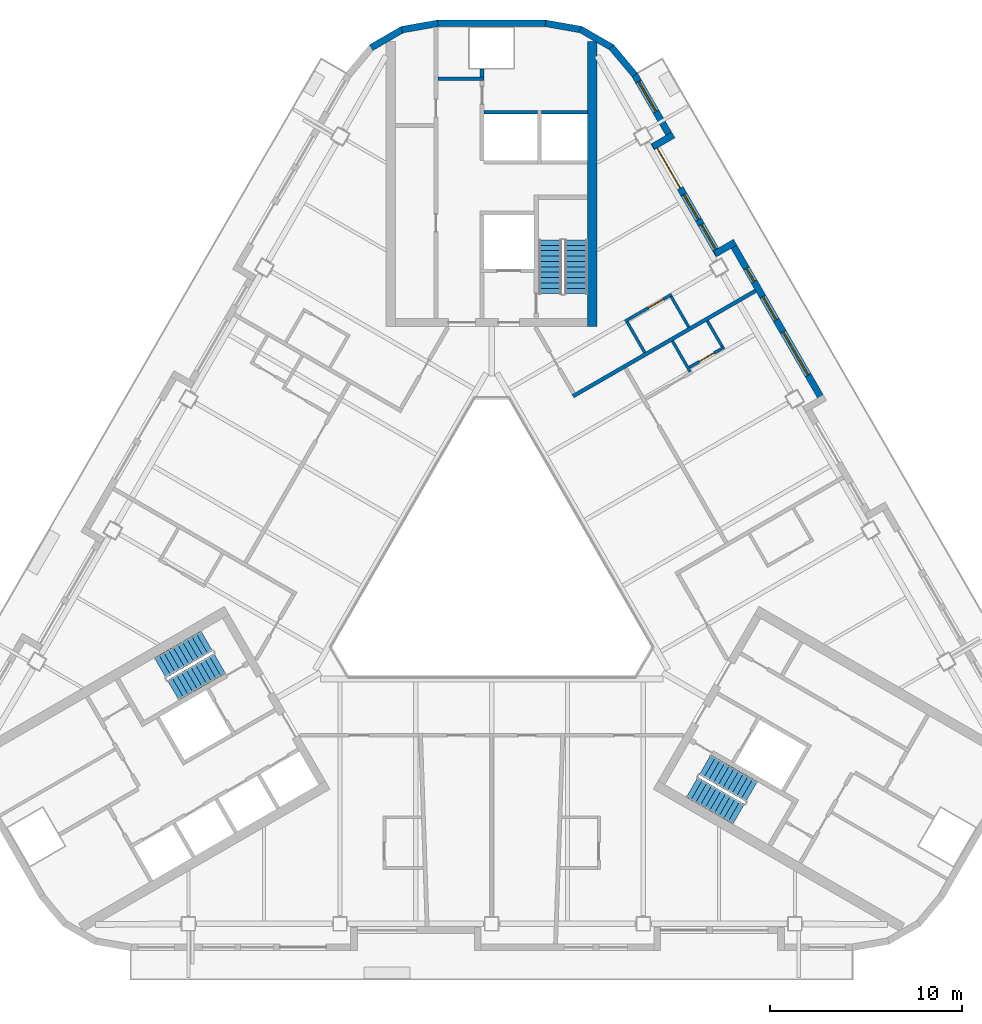
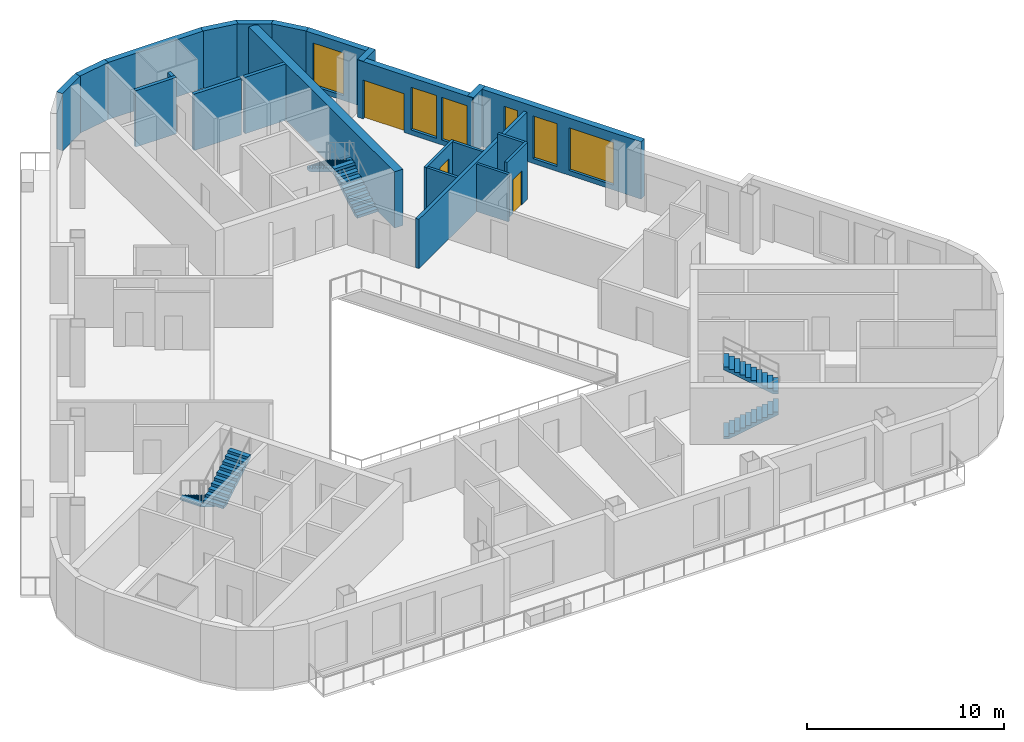
# One storey, part 7 of 13: 23 walls, 6 stair flights, 6 windows, 3 doors, 9 openings, 3 elements without a shape of their own.
"""IFC4 building model written with IfcOpenShell, lengths in metres."""

from ifc_helpers import new_model, si_unit, direction, frame, frame_2d, origin, place, context, subcontext, project, spatial, polyline, rectangle, outline, extrude, material, layer, layer_set, type_object, element, fill, aggregate, save


model = new_model("IFC4")

# Units and contexts
model_context = context("Model", 3, precision=1e-05, world=origin(), true_north=direction((0.0, 1.0)))
body_context = subcontext(model_context, "Body", "Model", "MODEL_VIEW")
ifc_project = project(units=[si_unit("LENGTHUNIT", "METRE"), si_unit("AREAUNIT", "SQUARE_METRE"), si_unit("VOLUMEUNIT", "CUBIC_METRE"), si_unit("PLANEANGLEUNIT", "RADIAN"), si_unit("MASSUNIT", "GRAM", prefix="KILO")], contexts=[model_context])

# Site, building, storey
site_placement = place(None, origin())
site = spatial("IfcSite", under=ifc_project, at=site_placement, CompositionType="ELEMENT")
building_placement = place(site_placement, origin())
building = spatial("IfcBuilding", under=site, at=building_placement, Name="Apuvela Tower Hotel", CompositionType="ELEMENT")
storey_placement = place(building_placement, frame((0.0, 0.0, 187.300048828125)))
storey = spatial("IfcBuildingStorey", under=building, at=storey_placement, Name="L45", CompositionType="ELEMENT", Elevation=187.300048828125)

# Walls
ifc_material_1 = material(Name="Concrete C50/60", Category="concrete")
ifc_layer_1 = layer(ifc_material_1, 0.5)
ifc_layer_set_1 = layer_set([ifc_layer_1], Name="COR-WALL-CORE-500")
wall_type_1 = type_object("IfcWallType", Name="COR-WALL-CORE-500", PredefinedType="SHEAR", material=ifc_layer_set_1)
wall_1_placement = place(storey_placement, frame((5.25, 12.89990234375, 0.0), z_axis=(0.0, 0.0, 1.0), x_axis=(0.0, 1.0, 0.0)))
element("IfcWall", 1, at=wall_1_placement, inside=storey, type_object=wall_type_1, Name="Core wall N", PredefinedType="SHEAR", context=body_context, shape_type="SweptSolid", body=[
    extrude(rectangle(XDim=14.8369140625, YDim=0.5, at=frame_2d((7.41845703125, 0.0))), origin(), (0.0, 0.0, 1.0), 3.5),
])
ifc_layer_2 = layer(ifc_material_1, 0.199951171875)
ifc_layer_set_2 = layer_set([ifc_layer_2], Name="COR-WALL-SHAFT-200")
wall_type_2 = type_object("IfcWallType", Name="COR-WALL-SHAFT-200", PredefinedType="SHEAR", material=ifc_layer_set_2)
wall_2_placement = place(storey_placement, frame((-0.39990234375, 25.800048828125, 0.0), z_axis=(0.0, 0.0, 1.0), x_axis=(-1.0, 0.0, 0.0)))
element("IfcWall", 2, at=wall_2_placement, inside=storey, type_object=wall_type_2, Name="Shaft wall N", PredefinedType="SHEAR", context=body_context, shape_type="SweptSolid", body=[
    extrude(rectangle(XDim=2.400146484375, YDim=0.199951171875, at=frame_2d((1.2001953125, 0.0))), origin(), (0.0, 0.0, 1.0), 3.5),
])
wall_3_placement = place(storey_placement, frame((-0.5, 25.89990234375, 0.0), z_axis=(0.0, 0.0, 1.0), x_axis=(0.0, 1.0, 0.0)))
element("IfcWall", 3, at=wall_3_placement, inside=storey, type_object=wall_type_2, Name="Shaft wall N", PredefinedType="SHEAR", context=body_context, shape_type="SweptSolid", body=[
    extrude(rectangle(XDim=0.400146484375, YDim=0.199951171875, at=frame_2d((0.2001953125, 0.0))), origin(), (0.0, 0.0, 1.0), 3.5),
])
wall_4_placement = place(storey_placement, frame((5.0, 24.050048828125, 0.0), z_axis=(0.0, 0.0, 1.0), x_axis=(-1.0, 0.0, 0.0)))
element("IfcWall", 4, at=wall_4_placement, inside=storey, type_object=wall_type_2, Name="Shaft wall N", PredefinedType="SHEAR", context=body_context, shape_type="SweptSolid", body=[
    extrude(rectangle(XDim=2.39990234375, YDim=0.199951171875, at=frame_2d((1.199951171875, 0.0))), origin(), (0.0, 0.0, 1.0), 3.5),
])
wall_5_placement = place(storey_placement, frame((2.39990234375, 24.050048828125, 0.0), z_axis=(0.0, 0.0, 1.0), x_axis=(-1.0, 0.0, 0.0)))
element("IfcWall", 5, at=wall_5_placement, inside=storey, type_object=wall_type_2, Name="Shaft wall N", PredefinedType="SHEAR", context=body_context, shape_type="SweptSolid", body=[
    extrude(rectangle(XDim=2.7998046875, YDim=0.199951171875, at=frame_2d((1.39990234375, 0.0))), origin(), (0.0, 0.0, 1.0), 3.5),
])

# Wall, openings, windows
ifc_material_2 = material(Name="Concrete C40/50, dark pigmented precast panel", Category="concrete")
ifc_layer_3 = layer(ifc_material_2, 0.35009765625)
ifc_layer_set_3 = layer_set([ifc_layer_3], Name="ENV-WALL-350")
wall_type_3 = type_object("IfcWallType", Name="ENV-WALL-350", PredefinedType="SOLIDWALL", material=ifc_layer_set_3)
wall_6_placement = place(storey_placement, frame((17.298583984375, 8.947998046875, 0.0), z_axis=(0.0, 0.0, 1.0), x_axis=(-0.500010041276, 0.866019606374, 0.0)))
wall_6 = element("IfcWall", 6, at=wall_6_placement, inside=storey, type_object=wall_type_3, Name="External wall L45-37", PredefinedType="SOLIDWALL", context=body_context, shape_type="SweptSolid", body=[
    extrude(rectangle(XDim=9.699951171875, YDim=0.35009765625, at=frame_2d((4.85009765625, 0.0))), origin(), (0.0, 0.0, 1.0), 3.550048828125),
])
opening_1_placement = place(wall_6_placement, frame((1.625, 0.0, 0.300048828125)))
opening_1 = element("IfcOpeningElement", 7, at=opening_1_placement, cuts=wall_6, Name="Opening WN26", PredefinedType="OPENING", context=body_context, shape_type="SweptSolid", body=[
    extrude(rectangle(XDim=2.60009765625, YDim=2.64990234375, at=frame_2d((1.300048828125, 1.324951171875))), frame((0.0, 0.18505859375, 0.0), z_axis=(0.0, -1.0, 0.0), x_axis=(1.0, 0.0, 0.0)), (0.0, 0.0, 1.0), 0.3701171875),
])
opening_2_placement = place(wall_6_placement, frame((4.94921875, 0.0, 0.300048828125)))
opening_2 = element("IfcOpeningElement", 8, at=opening_2_placement, cuts=wall_6, Name="Opening WN14", PredefinedType="OPENING", context=body_context, shape_type="SweptSolid", body=[
    extrude(rectangle(XDim=1.39990234375, YDim=2.64990234375, at=frame_2d((0.699951171875, 1.324951171875))), frame((0.0, 0.18505859375, 0.0), z_axis=(0.0, -1.0, 0.0), x_axis=(1.0, 0.0, 0.0)), (0.0, 0.0, 1.0), 0.3701171875),
])
opening_3_placement = place(wall_6_placement, frame((7.249755859375, 0.0, 0.300048828125)))
opening_3 = element("IfcOpeningElement", 9, at=opening_3_placement, cuts=wall_6, Name="Opening WN08", PredefinedType="OPENING", context=body_context, shape_type="SweptSolid", body=[
    extrude(rectangle(XDim=0.800048828125, YDim=2.64990234375, at=frame_2d((0.39990234375, 1.324951171875))), frame((0.0, 0.18505859375, 0.0), z_axis=(0.0, -1.0, 0.0), x_axis=(1.0, 0.0, 0.0)), (0.0, 0.0, 1.0), 0.3701171875),
])
ifc_material_3 = material(Name="Glass, dark tinted laminated insulated glazing unit", Category="glass")
window_type_1 = type_object("IfcWindowType", Name="ENV-WIN-1400x2650", PartitioningType="SINGLE_PANEL", PredefinedType="WINDOW", material=ifc_material_3)
window_1_placement = place(opening_2_placement, origin())
window_1 = element("IfcWindow", 10, at=window_1_placement, inside=storey, type_object=window_type_1, Name="Window WN14", OverallHeight=2.64990234375, OverallWidth=1.39990234375, PartitioningType="SINGLE_PANEL", PredefinedType="WINDOW", context=body_context, shape_type="SweptSolid", body=[
    extrude(rectangle(XDim=1.39990234375, YDim=2.64990234375, at=frame_2d((0.699951171875, 1.324951171875))), frame((0.0, 0.030029296875, 0.0), z_axis=(0.0, -1.0, 0.0), x_axis=(1.0, 0.0, 0.0)), (0.0, 0.0, 1.0), 0.06005859375),
])
fill(opening_2, window_1)
window_type_2 = type_object("IfcWindowType", Name="ENV-WIN-2600x2650", PartitioningType="SINGLE_PANEL", PredefinedType="WINDOW", material=ifc_material_3)
window_2_placement = place(opening_1_placement, origin())
window_2 = element("IfcWindow", 11, at=window_2_placement, inside=storey, type_object=window_type_2, Name="Window WN26", OverallHeight=2.64990234375, OverallWidth=2.60009765625, PartitioningType="SINGLE_PANEL", PredefinedType="WINDOW", context=body_context, shape_type="SweptSolid", body=[
    extrude(rectangle(XDim=2.60009765625, YDim=2.64990234375, at=frame_2d((1.300048828125, 1.324951171875))), frame((0.0, 0.030029296875, 0.0), z_axis=(0.0, -1.0, 0.0), x_axis=(1.0, 0.0, 0.0)), (0.0, 0.0, 1.0), 0.06005859375),
])
fill(opening_1, window_2)
window_type_3 = type_object("IfcWindowType", Name="ENV-WIN-800x2650", PartitioningType="SINGLE_PANEL", PredefinedType="WINDOW", material=ifc_material_3)
window_3_placement = place(opening_3_placement, origin())
window_3 = element("IfcWindow", 12, at=window_3_placement, inside=storey, type_object=window_type_3, Name="Window WN08", OverallHeight=2.64990234375, OverallWidth=0.800048828125, PartitioningType="SINGLE_PANEL", PredefinedType="WINDOW", context=body_context, shape_type="SweptSolid", body=[
    extrude(rectangle(XDim=0.800048828125, YDim=2.64990234375, at=frame_2d((0.39990234375, 1.324951171875))), frame((0.0, 0.030029296875, 0.0), z_axis=(0.0, -1.0, 0.0), x_axis=(1.0, 0.0, 0.0)), (0.0, 0.0, 1.0), 0.06005859375),
])
fill(opening_3, window_3)

# Wall
wall_7_placement = place(storey_placement, frame((12.6875, 17.284423828125, 0.0), z_axis=(0.0, 0.0, 1.0), x_axis=(-0.865955602162, -0.500120880472, 0.0)))
element("IfcWall", 13, at=wall_7_placement, inside=storey, type_object=wall_type_3, Name="External wall L45-38", PredefinedType="SOLIDWALL", context=body_context, shape_type="SweptSolid", body=[
    extrude(rectangle(XDim=1.219970703125, YDim=0.35009765625, at=frame_2d((0.60986328125, 0.0))), origin(), (0.0, 0.0, 1.0), 3.550048828125),
])

# Wall, openings, door, windows
wall_8_placement = place(storey_placement, frame((11.8291015625, 16.621337890625, 0.0), z_axis=(0.0, 0.0, 1.0), x_axis=(-0.500003597184, 0.866023326939, 0.0)))
wall_8 = element("IfcWall", 14, at=wall_8_placement, inside=storey, type_object=wall_type_3, Name="External wall L45-39", PredefinedType="SOLIDWALL", context=body_context, shape_type="SweptSolid", body=[
    extrude(rectangle(XDim=6.740234375, YDim=0.35009765625, at=frame_2d((3.3701171875, 0.0))), origin(), (0.0, 0.0, 1.0), 3.550048828125),
])
opening_4_placement = place(wall_8_placement, frame((4.01953125, 0.0, 0.0)))
opening_4 = element("IfcOpeningElement", 15, at=opening_4_placement, cuts=wall_8, Name="Opening BD24", PredefinedType="OPENING", context=body_context, shape_type="SweptSolid", body=[
    extrude(rectangle(XDim=2.39990234375, YDim=2.39990234375, at=frame_2d((1.199951171875, 1.199951171875))), frame((0.0, 0.18505859375, 0.0), z_axis=(0.0, -1.0, 0.0), x_axis=(1.0, 0.0, 0.0)), (0.0, 0.0, 1.0), 0.3701171875),
])
opening_5_placement = place(wall_8_placement, frame((0.320068359375, 0.0, 0.300048828125)))
opening_5 = element("IfcOpeningElement", 16, at=opening_5_placement, cuts=wall_8, Name="Opening WN15", PredefinedType="OPENING", context=body_context, shape_type="SweptSolid", body=[
    extrude(rectangle(XDim=1.5, YDim=2.64990234375, at=frame_2d((0.75, 1.324951171875))), frame((0.0, 0.18505859375, 0.0), z_axis=(0.0, -1.0, 0.0), x_axis=(1.0, 0.0, 0.0)), (0.0, 0.0, 1.0), 0.3701171875),
])
opening_6_placement = place(wall_8_placement, frame((2.1201171875, 0.0, 0.300048828125)))
opening_6 = element("IfcOpeningElement", 17, at=opening_6_placement, cuts=wall_8, Name="Opening WN15", PredefinedType="OPENING", context=body_context, shape_type="SweptSolid", body=[
    extrude(rectangle(XDim=1.5, YDim=2.64990234375, at=frame_2d((0.75, 1.324951171875))), frame((0.0, 0.18505859375, 0.0), z_axis=(0.0, -1.0, 0.0), x_axis=(1.0, 0.0, 0.0)), (0.0, 0.0, 1.0), 0.3701171875),
])
ifc_material_4 = material(Name="Aluminium 6063-T6, dark bronze anodised frame with dark tinted laminated glass", Category="aluminium")
door_type_1 = type_object("IfcDoorType", Name="ENV-DOOR-BALCONY-2400x2400", OperationType="SLIDING_TO_LEFT", PredefinedType="DOOR", material=ifc_material_4)
door_1_placement = place(opening_4_placement, frame((2.39990234375, 0.0, 0.0), z_axis=(0.0, 0.0, 1.0), x_axis=(-1.0, 0.0, 0.0)))
door_1 = element("IfcDoor", 18, at=door_1_placement, inside=storey, type_object=door_type_1, Name="Balcony door BD24", OperationType="SLIDING_TO_LEFT", OverallHeight=2.39990234375, OverallWidth=2.39990234375, PredefinedType="DOOR", context=body_context, shape_type="SweptSolid", body=[
    extrude(rectangle(XDim=2.39990234375, YDim=2.39990234375, at=frame_2d((1.199951171875, 1.199951171875))), frame((0.0, 0.02490234375, 0.0), z_axis=(0.0, -1.0, 0.0), x_axis=(1.0, 0.0, 0.0)), (0.0, 0.0, 1.0), 0.050048828125),
])
fill(opening_4, door_1)
window_type_4 = type_object("IfcWindowType", Name="ENV-WIN-1500x2650", PartitioningType="SINGLE_PANEL", PredefinedType="WINDOW", material=ifc_material_3)
window_4_placement = place(opening_5_placement, origin())
window_4 = element("IfcWindow", 19, at=window_4_placement, inside=storey, type_object=window_type_4, Name="Window WN15", OverallHeight=2.64990234375, OverallWidth=1.5, PartitioningType="SINGLE_PANEL", PredefinedType="WINDOW", context=body_context, shape_type="SweptSolid", body=[
    extrude(rectangle(XDim=1.5, YDim=2.64990234375, at=frame_2d((0.75, 1.324951171875))), frame((0.0, 0.030029296875, 0.0), z_axis=(0.0, -1.0, 0.0), x_axis=(1.0, 0.0, 0.0)), (0.0, 0.0, 1.0), 0.06005859375),
])
fill(opening_5, window_4)
window_5_placement = place(opening_6_placement, origin())
window_5 = element("IfcWindow", 20, at=window_5_placement, inside=storey, type_object=window_type_4, Name="Window WN15", OverallHeight=2.64990234375, OverallWidth=1.5, PartitioningType="SINGLE_PANEL", PredefinedType="WINDOW", context=body_context, shape_type="SweptSolid", body=[
    extrude(rectangle(XDim=1.5, YDim=2.64990234375, at=frame_2d((0.75, 1.324951171875))), frame((0.0, 0.030029296875, 0.0), z_axis=(0.0, -1.0, 0.0), x_axis=(1.0, 0.0, 0.0)), (0.0, 0.0, 1.0), 0.06005859375),
])
fill(opening_6, window_5)

# Wall
wall_9_placement = place(storey_placement, frame((8.406005859375, 22.26025390625, 0.0), z_axis=(0.0, 0.0, 1.0), x_axis=(0.865955602162, 0.500120880472, 0.0)))
element("IfcWall", 21, at=wall_9_placement, inside=storey, type_object=wall_type_3, Name="External wall L45-40", PredefinedType="SOLIDWALL", context=body_context, shape_type="SweptSolid", body=[
    extrude(rectangle(XDim=1.219970703125, YDim=0.35009765625, at=frame_2d((0.60986328125, 0.0))), origin(), (0.0, 0.0, 1.0), 3.550048828125),
])

# Wall, opening, window
wall_10_placement = place(storey_placement, frame((9.3984375, 22.631103515625, 0.0), z_axis=(0.0, 0.0, 1.0), x_axis=(-0.499954521343, 0.866051659307, 0.0)))
wall_10 = element("IfcWall", 22, at=wall_10_placement, inside=storey, type_object=wall_type_3, Name="External wall L45-41", PredefinedType="SOLIDWALL", context=body_context, shape_type="SweptSolid", body=[
    extrude(rectangle(XDim=3.915771484375, YDim=0.35009765625, at=frame_2d((1.9580078125, 0.0))), origin(), (0.0, 0.0, 1.0), 3.550048828125),
])
opening_7_placement = place(wall_10_placement, frame((1.67626953125, 0.0, 0.300048828125)))
opening_7 = element("IfcOpeningElement", 23, at=opening_7_placement, cuts=wall_10, Name="Opening WN18", PredefinedType="OPENING", context=body_context, shape_type="SweptSolid", body=[
    extrude(rectangle(XDim=1.800048828125, YDim=2.64990234375, at=frame_2d((0.89990234375, 1.324951171875))), frame((0.0, 0.18505859375, 0.0), z_axis=(0.0, -1.0, 0.0), x_axis=(1.0, 0.0, 0.0)), (0.0, 0.0, 1.0), 0.3701171875),
])
window_type_5 = type_object("IfcWindowType", Name="ENV-WIN-1800x2650", PartitioningType="SINGLE_PANEL", PredefinedType="WINDOW", material=ifc_material_3)
window_6_placement = place(opening_7_placement, origin())
window_6 = element("IfcWindow", 24, at=window_6_placement, inside=storey, type_object=window_type_5, Name="Window WN18", OverallHeight=2.64990234375, OverallWidth=1.800048828125, PartitioningType="SINGLE_PANEL", PredefinedType="WINDOW", context=body_context, shape_type="SweptSolid", body=[
    extrude(rectangle(XDim=1.800048828125, YDim=2.64990234375, at=frame_2d((0.89990234375, 1.324951171875))), frame((0.0, 0.030029296875, 0.0), z_axis=(0.0, -1.0, 0.0), x_axis=(1.0, 0.0, 0.0)), (0.0, 0.0, 1.0), 0.06005859375),
])
fill(opening_7, window_6)

# Walls
wall_11_placement = place(storey_placement, frame((7.4580078125, 25.99755859375, 0.0), z_axis=(0.0, 0.0, 1.0), x_axis=(-0.642808304945, 0.766027077259, 0.0)))
element("IfcWall", 25, at=wall_11_placement, inside=storey, type_object=wall_type_3, Name="External wall L45-42", PredefinedType="SOLIDWALL", context=body_context, shape_type="SweptSolid", body=[
    extrude(rectangle(XDim=1.909912109375, YDim=0.35009765625, at=frame_2d((0.955078125, 0.0))), origin(), (0.0, 0.0, 1.0), 3.550048828125),
])
for number, where, z_axis, x_axis, name in (
    (26, (6.27685546875, 27.421630859375, 0.0), (0.0, 0.0, 1.0), (-0.866032345022, 0.499987977232, 0.0), "External wall L45-43"),
    (27, (4.6796875, 28.35595703125, 0.0), (0.0, 0.0, 1.0), (-0.984798995425, 0.173697837091, 0.0), "External wall L45-44"),
):
    element("IfcWall", number, at=place(storey_placement, frame(where, z_axis=z_axis, x_axis=x_axis)), inside=storey, type_object=wall_type_3, Name=name, PredefinedType="SOLIDWALL", context=body_context, shape_type="SweptSolid", body=[
        extrude(rectangle(XDim=1.91015625, YDim=0.35009765625, at=frame_2d((0.955078125, 0.0))), origin(), (0.0, 0.0, 1.0), 3.550048828125),
    ])
wall_12_placement = place(storey_placement, frame((2.8291015625, 28.68505859375, 0.0), z_axis=(0.0, 0.0, 1.0), x_axis=(-1.0, 0.0, 0.0)))
element("IfcWall", 28, at=wall_12_placement, inside=storey, type_object=wall_type_3, Name="External wall L45-45", PredefinedType="SOLIDWALL", context=body_context, shape_type="SweptSolid", body=[
    extrude(rectangle(XDim=5.658203125, YDim=0.35009765625, at=frame_2d((2.8291015625, 0.0))), origin(), (0.0, 0.0, 1.0), 3.550048828125),
])
for number, where, z_axis, x_axis, name in (
    (29, (-2.798583984375, 28.687744140625, 0.0), (0.0, 0.0, 1.0), (-0.984798995425, -0.173697837091, 0.0), "External wall L45-46"),
    (30, (-4.62255859375, 28.376708984375, 0.0), (0.0, 0.0, 1.0), (-0.866032345022, -0.499987977232, 0.0), "External wall L45-47"),
):
    element("IfcWall", number, at=place(storey_placement, frame(where, z_axis=z_axis, x_axis=x_axis)), inside=storey, type_object=wall_type_3, Name=name, PredefinedType="SOLIDWALL", context=body_context, shape_type="SweptSolid", body=[
        extrude(rectangle(XDim=1.91015625, YDim=0.35009765625, at=frame_2d((0.955078125, 0.0))), origin(), (0.0, 0.0, 1.0), 3.550048828125),
    ])
ifc_material_5 = material(Name="Gypsum board partition on twin steel stud", Category="steel")
ifc_layer_4 = layer(ifc_material_5, 0.199951171875)
ifc_layer_set_4 = layer_set([ifc_layer_4], Name="GST-PW1")
wall_type_4 = type_object("IfcWallType", Name="GST-PW1", PredefinedType="PARTITIONING", material=ifc_layer_set_4)
wall_13_placement = place(storey_placement, frame((13.7470703125, 14.74951171875, 0.0), z_axis=(0.0, 0.0, 1.0), x_axis=(-0.866027479907, -0.499996404033, 0.0)))
element("IfcWall", 31, at=wall_13_placement, inside=storey, type_object=wall_type_4, Name="L45 partition 04", PredefinedType="PARTITIONING", context=body_context, shape_type="SweptSolid", body=[
    extrude(rectangle(XDim=10.97998046875, YDim=0.199951171875, at=frame_2d((5.489990234375, 0.0))), origin(), (0.0, 0.0, 1.0), 3.06005859375),
])
ifc_material_6 = material(Name="Moisture-resistant gypsum board wet wall on steel stud", Category="steel")
ifc_layer_5 = layer(ifc_material_6, 0.14990234375)
ifc_layer_set_5 = layer_set([ifc_layer_5], Name="GST-PW3")
wall_type_5 = type_object("IfcWallType", Name="GST-PW3", PredefinedType="PARTITIONING", material=ifc_layer_set_5)
wall_14_placement = place(storey_placement, frame((10.34423828125, 10.533203125, 0.0), z_axis=(0.0, 0.0, 1.0), x_axis=(-0.499985172903, 0.866033964044, 0.0)))
element("IfcWall", 32, at=wall_14_placement, inside=storey, type_object=wall_type_5, Name="L45 partition 24", PredefinedType="PARTITIONING", context=body_context, shape_type="SweptSolid", body=[
    extrude(rectangle(XDim=1.85009765625, YDim=0.14990234375, at=frame_2d((0.925048828125, 0.0))), origin(), (0.0, 0.0, 1.0), 2.949951171875),
])

# Wall, opening, door
wall_15_placement = place(storey_placement, frame((10.296630859375, 10.765625, 0.0), z_axis=(0.0, 0.0, 1.0), x_axis=(0.866009402589, 0.500027713859, 0.0)))
wall_15 = element("IfcWall", 33, at=wall_15_placement, inside=storey, type_object=wall_type_5, Name="L45 partition 25", PredefinedType="PARTITIONING", context=body_context, shape_type="SweptSolid", body=[
    extrude(rectangle(XDim=2.10009765625, YDim=0.14990234375, at=frame_2d((1.050048828125, 0.0))), origin(), (0.0, 0.0, 1.0), 3.550048828125),
])
opening_8_placement = place(wall_15_placement, frame((0.599853515625, 0.0, 0.0)))
opening_8 = element("IfcOpeningElement", 34, at=opening_8_placement, cuts=wall_15, Name="Opening GD17-10", PredefinedType="OPENING", context=body_context, shape_type="SweptSolid", body=[
    extrude(rectangle(XDim=0.89990234375, YDim=2.10009765625, at=frame_2d((0.449951171875, 1.050048828125))), frame((0.0, 0.0849609375, 0.0), z_axis=(0.0, -1.0, 0.0), x_axis=(1.0, 0.0, 0.0)), (0.0, 0.0, 1.0), 0.169921875),
])
ifc_material_7 = material(Name="Timber door leaf in steel frame", Category="steel")
door_type_2 = type_object("IfcDoorType", Name="GST-D2", OperationType="NOTDEFINED", PredefinedType="DOOR", material=ifc_material_7)
door_2_placement = place(opening_8_placement, origin())
door_2 = element("IfcDoor", 35, at=door_2_placement, inside=storey, type_object=door_type_2, Name="Door L45-10", OperationType="SINGLE_SWING_RIGHT", OverallHeight=2.10009765625, OverallWidth=0.89990234375, PredefinedType="DOOR", context=body_context, shape_type="SweptSolid", body=[
    extrude(rectangle(XDim=0.89990234375, YDim=2.10009765625, at=frame_2d((0.449951171875, 1.050048828125))), frame((0.0, 0.02490234375, 0.0), z_axis=(0.0, -1.0, 0.0), x_axis=(1.0, 0.0, 0.0)), (0.0, 0.0, 1.0), 0.050048828125),
])
fill(opening_8, door_2)

# Wall
wall_16_placement = place(storey_placement, frame((12.012939453125, 11.843017578125, 0.0), z_axis=(0.0, 0.0, 1.0), x_axis=(-0.500086022567, 0.865975732936, 0.0)))
element("IfcWall", 36, at=wall_16_placement, inside=storey, type_object=wall_type_5, Name="L45 partition 26", PredefinedType="PARTITIONING", context=body_context, shape_type="SweptSolid", body=[
    extrude(rectangle(XDim=1.550048828125, YDim=0.14990234375, at=frame_2d((0.77490234375, 0.0))), origin(), (0.0, 0.0, 1.0), 3.550048828125),
])

# Wall, opening, door
wall_17_placement = place(storey_placement, frame((9.374267578125, 14.563232421875, 0.0), z_axis=(0.0, 0.0, 1.0), x_axis=(-0.866034573852, -0.49998411664, 0.0)))
wall_17 = element("IfcWall", 37, at=wall_17_placement, inside=storey, type_object=wall_type_5, Name="L45 partition 28", PredefinedType="PARTITIONING", context=body_context, shape_type="SweptSolid", body=[
    extrude(rectangle(XDim=2.7998046875, YDim=0.14990234375, at=frame_2d((1.39990234375, 0.0))), origin(), (0.0, 0.0, 1.0), 2.949951171875),
])
opening_9_placement = place(wall_17_placement, frame((0.5, 0.0, 0.0)))
opening_9 = element("IfcOpeningElement", 38, at=opening_9_placement, cuts=wall_17, Name="Opening GD17-12", PredefinedType="OPENING", context=body_context, shape_type="SweptSolid", body=[
    extrude(rectangle(XDim=0.89990234375, YDim=2.10009765625, at=frame_2d((0.449951171875, 1.050048828125))), frame((0.0, 0.0849609375, 0.0), z_axis=(0.0, -1.0, 0.0), x_axis=(1.0, 0.0, 0.0)), (0.0, 0.0, 1.0), 0.169921875),
])
door_3_placement = place(opening_9_placement, origin())
door_3 = element("IfcDoor", 39, at=door_3_placement, inside=storey, type_object=door_type_2, Name="Door L45-12", OperationType="SINGLE_SWING_LEFT", OverallHeight=2.10009765625, OverallWidth=0.89990234375, PredefinedType="DOOR", context=body_context, shape_type="SweptSolid", body=[
    extrude(rectangle(XDim=0.89990234375, YDim=2.10009765625, at=frame_2d((0.449951171875, 1.050048828125))), frame((0.0, 0.02490234375, 0.0), z_axis=(0.0, -1.0, 0.0), x_axis=(1.0, 0.0, 0.0)), (0.0, 0.0, 1.0), 0.050048828125),
])
fill(opening_9, door_3)

# Walls
for number, where, z_axis, x_axis, name in (
    (40, (10.271728515625, 12.858642578125, 0.0), (0.0, 0.0, 1.0), (-0.500042316284, 0.866000971088, 0.0), "L45 partition 29"),
    (41, (7.976806640625, 11.53369140625, 0.0), (0.0, 0.0, 1.0), (-0.49994333299, 0.866058118026, 0.0), "L45 partition 30"),
):
    element("IfcWall", number, at=place(storey_placement, frame(where, z_axis=z_axis, x_axis=x_axis)), inside=storey, type_object=wall_type_5, Name=name, PredefinedType="PARTITIONING", context=body_context, shape_type="SweptSolid", body=[
        extrude(rectangle(XDim=1.849853515625, YDim=0.14990234375, at=frame_2d((0.9248046875, 0.0))), origin(), (0.0, 0.0, 1.0), 2.949951171875),
    ])

# Stair, stair flights
stair_type = type_object("IfcStairType", Name="COR-STAIR-22R", PredefinedType="HALF_TURN_STAIR", material=ifc_material_1)
stair_1_placement = place(storey_placement, origin())
stair_1 = element("IfcStair", 42, at=stair_1_placement, inside=storey, type_object=stair_type, Name="L45 Exit stair ST1", PredefinedType="HALF_TURN_STAIR")
stair_flight_type = type_object("IfcStairFlightType", Name="COR-FLIGHT-11R", PredefinedType="STRAIGHT", material=ifc_material_1)
stair_flight_1_placement = place(storey_placement, frame((4.39990234375, 14.60009765625, 0.0), z_axis=(0.0, 0.0, 1.0), x_axis=(0.0, 1.0, 0.0)))
stair_flight_1 = element("IfcStairFlight", 43, at=stair_flight_1_placement, type_object=stair_flight_type, Name="ST1 flight 1", NumberOfRisers=11, NumberOfTreads=10, PredefinedType="STRAIGHT", RiserHeight=0.168181818, TreadLength=0.28, context=body_context, shape_type="SweptSolid", body=[
    extrude(outline(polyline([(0.0, 0.0), (0.0, 0.168212890625), (0.280029296875, 0.168212890625), (0.280029296875, 0.33642578125), (0.56005859375, 0.33642578125), (0.56005859375, 0.504638671875), (0.840087890625, 0.504638671875), (0.840087890625, 0.672607421875), (1.1201171875, 0.672607421875), (1.1201171875, 0.8408203125), (1.39990234375, 0.8408203125), (1.39990234375, 1.009033203125), (1.679931640625, 1.009033203125), (1.679931640625, 1.17724609375), (1.9599609375, 1.17724609375), (1.9599609375, 1.345458984375), (2.239990234375, 1.345458984375), (2.239990234375, 1.513671875), (2.52001953125, 1.513671875), (2.52001953125, 1.681884765625), (2.800048828125, 1.681884765625), (2.800048828125, 1.85009765625), (2.800048828125, 1.5068359375), (0.291015625, 0.0), (0.0, 0.0)])), frame((0.0, 0.60009765625, 0.0), z_axis=(0.0, -1.0, 0.0), x_axis=(1.0, 0.0, 0.0)), (0.0, 0.0, 1.0), 1.199951171875),
])
stair_flight_2_placement = place(storey_placement, frame((3.050048828125, 17.39990234375, 1.849853515625), z_axis=(0.0, 0.0, 1.0), x_axis=(0.0, -1.0, 0.0)))
stair_flight_2 = element("IfcStairFlight", 44, at=stair_flight_2_placement, type_object=stair_flight_type, Name="ST1 flight 2", NumberOfRisers=11, NumberOfTreads=10, PredefinedType="STRAIGHT", RiserHeight=0.168181818, TreadLength=0.28, context=body_context, shape_type="SweptSolid", body=[
    extrude(outline(polyline([(0.0, 0.0), (0.0, 0.168212890625), (0.280029296875, 0.168212890625), (0.280029296875, 0.33642578125), (0.56005859375, 0.33642578125), (0.56005859375, 0.504638671875), (0.840087890625, 0.504638671875), (0.840087890625, 0.672607421875), (1.1201171875, 0.672607421875), (1.1201171875, 0.8408203125), (1.39990234375, 0.8408203125), (1.39990234375, 1.009033203125), (1.679931640625, 1.009033203125), (1.679931640625, 1.17724609375), (1.9599609375, 1.17724609375), (1.9599609375, 1.345458984375), (2.239990234375, 1.345458984375), (2.239990234375, 1.513671875), (2.52001953125, 1.513671875), (2.52001953125, 1.681884765625), (2.800048828125, 1.681884765625), (2.800048828125, 1.85009765625), (2.800048828125, 1.5068359375), (0.291015625, 0.0), (0.0, 0.0)])), frame((0.0, 0.60009765625, 0.0), z_axis=(0.0, -1.0, 0.0), x_axis=(1.0, 0.0, 0.0)), (0.0, 0.0, 1.0), 1.199951171875),
])
aggregate(stair_1, [stair_flight_1, stair_flight_2])

stair_2_placement = place(storey_placement, origin())
stair_2 = element("IfcStair", 45, at=stair_2_placement, inside=storey, type_object=stair_type, Name="L45 Exit stair ST2", PredefinedType="HALF_TURN_STAIR")
stair_flight_3_placement = place(storey_placement, frame((-14.843994140625, -3.489501953125, 0.0), z_axis=(0.0, 0.0, 1.0), x_axis=(-0.866025403784, -0.5, 0.0)))
stair_flight_3 = element("IfcStairFlight", 46, at=stair_flight_3_placement, type_object=stair_flight_type, Name="ST2 flight 1", NumberOfRisers=11, NumberOfTreads=10, PredefinedType="STRAIGHT", RiserHeight=0.168181818, TreadLength=0.28, context=body_context, shape_type="SweptSolid", body=[
    extrude(outline(polyline([(0.0, 0.0), (0.0, 0.168212890625), (0.280029296875, 0.168212890625), (0.280029296875, 0.33642578125), (0.56005859375, 0.33642578125), (0.56005859375, 0.504638671875), (0.840087890625, 0.504638671875), (0.840087890625, 0.672607421875), (1.1201171875, 0.672607421875), (1.1201171875, 0.8408203125), (1.39990234375, 0.8408203125), (1.39990234375, 1.009033203125), (1.679931640625, 1.009033203125), (1.679931640625, 1.17724609375), (1.9599609375, 1.17724609375), (1.9599609375, 1.345458984375), (2.239990234375, 1.345458984375), (2.239990234375, 1.513671875), (2.52001953125, 1.513671875), (2.52001953125, 1.681884765625), (2.800048828125, 1.681884765625), (2.800048828125, 1.85009765625), (2.800048828125, 1.5068359375), (0.291015625, 0.0), (0.0, 0.0)])), frame((0.0, 0.60009765625, 0.0), z_axis=(0.0, -1.0, 0.0), x_axis=(1.0, 0.0, 0.0)), (0.0, 0.0, 1.0), 1.199951171875),
])
stair_flight_4_placement = place(storey_placement, frame((-16.59375, -6.05859375, 1.849853515625), z_axis=(0.0, 0.0, 1.0), x_axis=(0.866025403784, 0.5, 0.0)))
stair_flight_4 = element("IfcStairFlight", 47, at=stair_flight_4_placement, type_object=stair_flight_type, Name="ST2 flight 2", NumberOfRisers=11, NumberOfTreads=10, PredefinedType="STRAIGHT", RiserHeight=0.168181818, TreadLength=0.28, context=body_context, shape_type="SweptSolid", body=[
    extrude(outline(polyline([(0.0, 0.0), (0.0, 0.168212890625), (0.280029296875, 0.168212890625), (0.280029296875, 0.33642578125), (0.56005859375, 0.33642578125), (0.56005859375, 0.504638671875), (0.840087890625, 0.504638671875), (0.840087890625, 0.672607421875), (1.1201171875, 0.672607421875), (1.1201171875, 0.8408203125), (1.39990234375, 0.8408203125), (1.39990234375, 1.009033203125), (1.679931640625, 1.009033203125), (1.679931640625, 1.17724609375), (1.9599609375, 1.17724609375), (1.9599609375, 1.345458984375), (2.239990234375, 1.345458984375), (2.239990234375, 1.513671875), (2.52001953125, 1.513671875), (2.52001953125, 1.681884765625), (2.800048828125, 1.681884765625), (2.800048828125, 1.85009765625), (2.800048828125, 1.5068359375), (0.291015625, 0.0), (0.0, 0.0)])), frame((0.0, 0.60009765625, 0.0), z_axis=(0.0, -1.0, 0.0), x_axis=(1.0, 0.0, 0.0)), (0.0, 0.0, 1.0), 1.199951171875),
])
aggregate(stair_2, [stair_flight_3, stair_flight_4])

stair_3_placement = place(storey_placement, origin())
stair_3 = element("IfcStair", 48, at=stair_3_placement, inside=storey, type_object=stair_type, Name="L45 Exit stair ST3", PredefinedType="HALF_TURN_STAIR")
stair_flight_5_placement = place(storey_placement, frame((10.444091796875, -11.110595703125, 0.0), z_axis=(0.0, 0.0, 1.0), x_axis=(0.866025403784, -0.5, 0.0)))
stair_flight_5 = element("IfcStairFlight", 49, at=stair_flight_5_placement, type_object=stair_flight_type, Name="ST3 flight 1", NumberOfRisers=11, NumberOfTreads=10, PredefinedType="STRAIGHT", RiserHeight=0.168181818, TreadLength=0.28, context=body_context, shape_type="SweptSolid", body=[
    extrude(outline(polyline([(0.0, 0.0), (0.0, 0.168212890625), (0.280029296875, 0.168212890625), (0.280029296875, 0.33642578125), (0.56005859375, 0.33642578125), (0.56005859375, 0.504638671875), (0.840087890625, 0.504638671875), (0.840087890625, 0.672607421875), (1.1201171875, 0.672607421875), (1.1201171875, 0.8408203125), (1.39990234375, 0.8408203125), (1.39990234375, 1.009033203125), (1.679931640625, 1.009033203125), (1.679931640625, 1.17724609375), (1.9599609375, 1.17724609375), (1.9599609375, 1.345458984375), (2.239990234375, 1.345458984375), (2.239990234375, 1.513671875), (2.52001953125, 1.513671875), (2.52001953125, 1.681884765625), (2.800048828125, 1.681884765625), (2.800048828125, 1.85009765625), (2.800048828125, 1.5068359375), (0.291015625, 0.0), (0.0, 0.0)])), frame((0.0, 0.60009765625, 0.0), z_axis=(0.0, -1.0, 0.0), x_axis=(1.0, 0.0, 0.0)), (0.0, 0.0, 1.0), 1.199951171875),
])
stair_flight_6_placement = place(storey_placement, frame((13.5439453125, -11.34130859375, 1.849853515625), z_axis=(0.0, 0.0, 1.0), x_axis=(-0.866025403784, 0.5, 0.0)))
stair_flight_6 = element("IfcStairFlight", 50, at=stair_flight_6_placement, type_object=stair_flight_type, Name="ST3 flight 2", NumberOfRisers=11, NumberOfTreads=10, PredefinedType="STRAIGHT", RiserHeight=0.168181818, TreadLength=0.28, context=body_context, shape_type="SweptSolid", body=[
    extrude(outline(polyline([(0.0, 0.0), (0.0, 0.168212890625), (0.280029296875, 0.168212890625), (0.280029296875, 0.33642578125), (0.56005859375, 0.33642578125), (0.56005859375, 0.504638671875), (0.840087890625, 0.504638671875), (0.840087890625, 0.672607421875), (1.1201171875, 0.672607421875), (1.1201171875, 0.8408203125), (1.39990234375, 0.8408203125), (1.39990234375, 1.009033203125), (1.679931640625, 1.009033203125), (1.679931640625, 1.17724609375), (1.9599609375, 1.17724609375), (1.9599609375, 1.345458984375), (2.239990234375, 1.345458984375), (2.239990234375, 1.513671875), (2.52001953125, 1.513671875), (2.52001953125, 1.681884765625), (2.800048828125, 1.681884765625), (2.800048828125, 1.85009765625), (2.800048828125, 1.5068359375), (0.291015625, 0.0), (0.0, 0.0)])), frame((0.0, 0.60009765625, 0.0), z_axis=(0.0, -1.0, 0.0), x_axis=(1.0, 0.0, 0.0)), (0.0, 0.0, 1.0), 1.199951171875),
])
aggregate(stair_3, [stair_flight_5, stair_flight_6])

save(model, "model.ifc")
